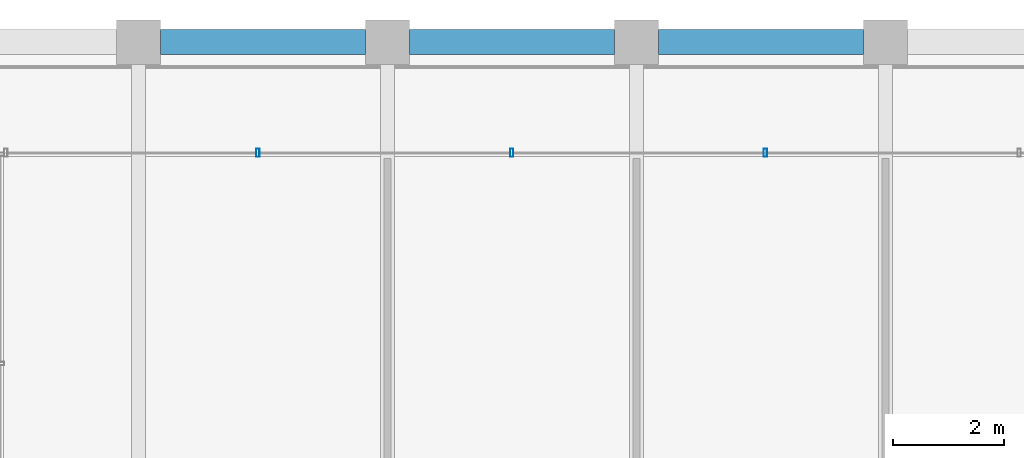
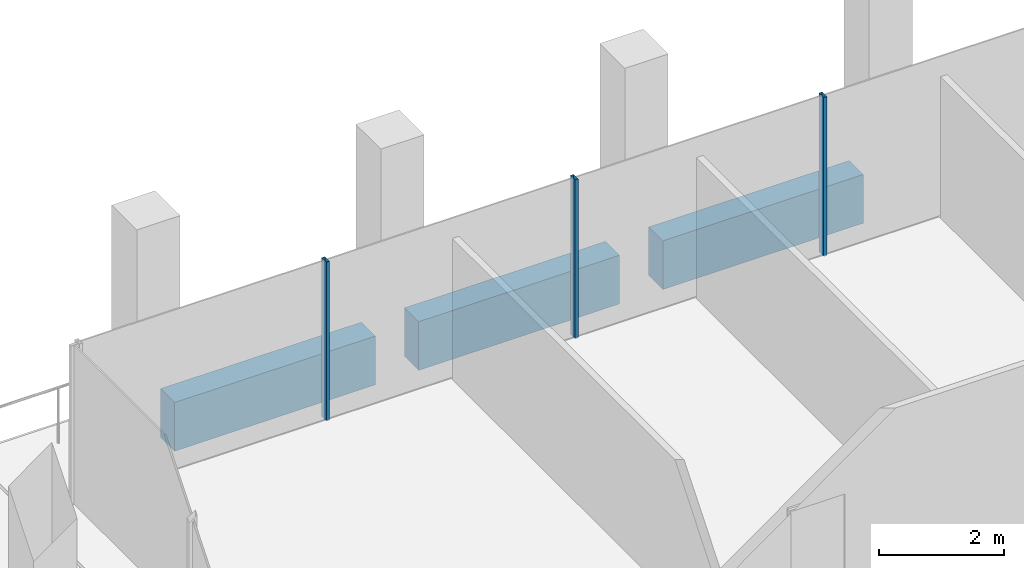
# One storey, part 23 of 41: 3 beams, 3 members, 1 element without a shape of its own.
"""IFC4 building model written with IfcOpenShell, lengths in metres."""

import ifcopenshell
import ifcopenshell.guid

model = None  # the IFC model being written
_history = None  # IfcOwnerHistory: only IFC2X3 demands one
_inside = {}  # id of a spatial element -> (the spatial element, [elements in it])
_under = {}  # id of a project, library or spatial element -> (it, [spatial elements below it])
_declared = {}  # id of a project -> (the project, [libraries it declares])
_typed = {}  # id of a type object -> (the type object, [elements of that type])
_made_of = {}  # id of a material, layer set ... -> (it, [elements and type objects made of it])


def new_model(schema):
    """Start an empty IFC model of exactly this schema.

    Asked for "IFC4X3", IfcOpenShell would pick the latest addendum, in which some entities
    have other attributes; the version numbers below select the first issue.
    IFC2X3 requires an IfcOwnerHistory on every rooted entity: one is made here for all.
    """
    global model, _history
    if schema == "IFC4X3":
        model = ifcopenshell.file(schema_version=(4, 3, 0, 0))
    else:
        model = ifcopenshell.file(schema=schema)
    _inside.clear()
    _under.clear()
    _declared.clear()
    _typed.clear()
    _made_of.clear()
    _history = None
    if model.schema == "IFC2X3":
        org = make("IfcOrganization", Name="unknown")
        user = make(
            "IfcPersonAndOrganization",
            ThePerson=make("IfcPerson", FamilyName="unknown"),
            TheOrganization=org,
        )
        app = make(
            "IfcApplication",
            ApplicationDeveloper=org,
            Version="unknown",
            ApplicationFullName="unknown",
            ApplicationIdentifier="unknown",
        )
        _history = make(
            "IfcOwnerHistory",
            OwningUser=user,
            OwningApplication=app,
            ChangeAction="ADDED",
            CreationDate=0,
        )
    return model


def make(cls, **values):
    """One entity of the class cls with the attributes given. An attribute that is None is left unset."""
    return model.create_entity(
        cls, **{name: value for name, value in values.items() if value is not None}
    )


def rooted(cls, **values):
    """An entity with a GlobalId (a new one), such as an element, a storey or a relation."""
    return make(cls, GlobalId=ifcopenshell.guid.new(), OwnerHistory=_history, **values)


def si_unit(unit_type, name, prefix=None):
    """IfcSIUnit, for example si_unit("LENGTHUNIT", "METRE", prefix="MILLI")."""
    return make("IfcSIUnit", UnitType=unit_type, Prefix=prefix, Name=name)


def assignment(units):
    """IfcUnitAssignment: the units of a project."""
    return None if units is None else make("IfcUnitAssignment", Units=units)


def point(xyz):
    """IfcCartesianPoint."""
    return None if xyz is None else make("IfcCartesianPoint", Coordinates=xyz)


def direction(xyz):
    """IfcDirection."""
    return None if xyz is None else make("IfcDirection", DirectionRatios=xyz)


def frame(location, z_axis=None, x_axis=None):
    """IfcAxis2Placement3D, a coordinate frame: its origin and axes. An axis left out is left unset."""
    return make(
        "IfcAxis2Placement3D",
        Location=point(location),
        Axis=direction(z_axis),
        RefDirection=direction(x_axis),
    )


def frame_2d(location, x_axis=None):
    """IfcAxis2Placement2D, a coordinate frame in the plane: its origin and x axis."""
    return make(
        "IfcAxis2Placement2D", Location=point(location), RefDirection=direction(x_axis)
    )


def origin():
    """The frame at (0, 0, 0) with its axes left unset."""
    return frame((0.0, 0.0, 0.0))


def origin_2d():
    """The frame at (0, 0) in the plane with its x axis left unset."""
    return frame_2d((0.0, 0.0))


def place(relative_to, where):
    """IfcLocalPlacement: puts the frame where relative to a parent placement (None: the world)."""
    return make(
        "IfcLocalPlacement", PlacementRelTo=relative_to, RelativePlacement=where
    )


def context(
    kind, dimensions, precision=None, world=None, true_north=None, identifier=None
):
    """IfcGeometricRepresentationContext, for example the 3D "Model" context."""
    return make(
        "IfcGeometricRepresentationContext",
        ContextIdentifier=identifier,
        ContextType=kind,
        CoordinateSpaceDimension=dimensions,
        Precision=precision,
        WorldCoordinateSystem=world,
        TrueNorth=true_north,
    )


def subcontext(parent, identifier, kind, view, scale=None):
    """IfcGeometricRepresentationSubContext, for example "Body" below "Model"."""
    return make(
        "IfcGeometricRepresentationSubContext",
        ContextIdentifier=identifier,
        ContextType=kind,
        ParentContext=parent,
        TargetScale=scale,
        TargetView=view,
    )


def project(units=None, contexts=None):
    """IfcProject with its units and contexts."""
    return rooted(
        "IfcProject",
        Name="project",
        RepresentationContexts=contexts,
        UnitsInContext=assignment(units),
    )


def spatial(cls, under=None, at=None, **own):
    """A site, building, storey or space (cls), placed at a placement, below another one or the project."""
    s = rooted(cls, ObjectPlacement=at, **own)
    if under is not None:
        _under.setdefault(under.id(), (under, []))[1].append(s)
    return s


def profile(cls, at=None, kind="AREA", **sizes):
    """A parametric profile (cls). Its sizes go by their IFC names, for example OverallWidth=200.0."""
    return make(cls, ProfileType=kind, Position=at, **sizes)


def rectangle(**sizes):
    """IfcRectangleProfileDef."""
    return profile("IfcRectangleProfileDef", **sizes)


def hollow_rectangle(**sizes):
    """IfcRectangleHollowProfileDef."""
    return profile("IfcRectangleHollowProfileDef", **sizes)


def extrude(swept, where, along, depth):
    """IfcExtrudedAreaSolid: the profile swept, set in the frame where, extruded along a direction by depth."""
    return make(
        "IfcExtrudedAreaSolid",
        SweptArea=swept,
        Position=where,
        ExtrudedDirection=direction(along),
        Depth=depth,
    )


def shape(context_of_items, identifier, shape_type, items):
    """IfcShapeRepresentation: the items that make up one representation, for example the "Body"."""
    return make(
        "IfcShapeRepresentation",
        ContextOfItems=context_of_items,
        RepresentationIdentifier=identifier,
        RepresentationType=shape_type,
        Items=items,
    )


def material(Name=None, Category=None):
    """IfcMaterial."""
    return make("IfcMaterial", Name=Name, Category=Category)


def material_profile(
    of_material, cross_section, Name=None, Category=None, Priority=None
):
    """IfcMaterialProfile: a cross section and its material."""
    return make(
        "IfcMaterialProfile",
        Name=Name,
        Material=of_material,
        Profile=cross_section,
        Priority=Priority,
        Category=Category,
    )


def profile_set(profiles, Name=None, composite=None):
    """IfcMaterialProfileSet."""
    return make(
        "IfcMaterialProfileSet",
        Name=Name,
        MaterialProfiles=profiles,
        CompositeProfile=composite,
    )


def made_of(thing, what):
    """Note that an element or type object is made of a material, layer set ...; save() writes the relation."""
    if what is not None:
        _made_of.setdefault(what.id(), (what, []))[1].append(thing)
    return thing


def type_object(cls, material=None, **own):
    """A type object (cls), such as IfcWallType, which elements share."""
    return made_of(rooted(cls, **own), material)


def element(
    cls,
    number,
    at=None,
    inside=None,
    cuts=None,
    type_object=None,
    material=None,
    context=None,
    identifier="Body",
    shape_type=None,
    held_by="IfcProductDefinitionShape",
    body=None,
    shapes=None,
    **own,
):
    """One element of the class cls, such as IfcWall. Its Tag is "e" and its number.

    at: its placement. inside: the storey or other place that contains it. cuts: it is an
    opening in that element (IfcRelVoidsElement). A single representation is given by context,
    identifier, shape_type and body (its items); several are given by shapes. held_by: the class
    of the entity that holds the representations. save() writes the other relations.
    """
    e = rooted(cls, Tag="e%d" % number, ObjectPlacement=at, **own)
    if body is not None:
        shapes = [shape(context, identifier, shape_type, body)]
    if shapes is not None:
        e.Representation = make(held_by, Representations=shapes)
    if inside is not None:
        _inside.setdefault(inside.id(), (inside, []))[1].append(e)
    if cuts is not None:
        rooted(
            "IfcRelVoidsElement", RelatingBuildingElement=cuts, RelatedOpeningElement=e
        )
    if type_object is not None:
        _typed.setdefault(type_object.id(), (type_object, []))[1].append(e)
    return made_of(e, material)


def aggregate(whole, parts):
    """IfcRelAggregates: a whole, such as a stair, and the parts it consists of."""
    return rooted("IfcRelAggregates", RelatingObject=whole, RelatedObjects=parts)


def save(model, path):
    """Write the relations noted so far, then the file.

    IfcRelAggregates (storeys below a building ...), IfcRelContainedInSpatialStructure (elements
    in a storey), IfcRelDefinesByType, IfcRelAssociatesMaterial and IfcRelDeclares: one each for
    every whole, place, type object, material and project.
    """
    for whole, parts in _under.values():
        aggregate(whole, parts)
    for where, things in _inside.values():
        rooted(
            "IfcRelContainedInSpatialStructure",
            RelatedElements=things,
            RelatingStructure=where,
        )
    for kind, things in _typed.values():
        rooted("IfcRelDefinesByType", RelatedObjects=things, RelatingType=kind)
    for what, things in _made_of.values():
        rooted("IfcRelAssociatesMaterial", RelatedObjects=things, RelatingMaterial=what)
    for by, libraries in _declared.values():
        rooted("IfcRelDeclares", RelatingContext=by, RelatedDefinitions=libraries)
    model.write(path)


model = new_model("IFC4")

# Units and contexts
model_context = context("Model", 3, precision=1e-05, world=origin(), true_north=direction((0.0, 1.0)))
body_context = subcontext(model_context, "Body", "Model", "MODEL_VIEW")
ifc_project = project(units=[si_unit("LENGTHUNIT", "METRE"), si_unit("AREAUNIT", "SQUARE_METRE"), si_unit("VOLUMEUNIT", "CUBIC_METRE"), si_unit("PLANEANGLEUNIT", "RADIAN"), si_unit("MASSUNIT", "GRAM", prefix="KILO")], contexts=[model_context])

# Site, building, storey
site_placement = place(None, origin())
site = spatial("IfcSite", under=ifc_project, at=site_placement, CompositionType="ELEMENT")
building_placement = place(site_placement, origin())
building = spatial("IfcBuilding", under=site, at=building_placement, Name="Altepetl Exchange Towers", CompositionType="ELEMENT")
storey_placement = place(building_placement, frame((0.0, 0.0, 206.39990234375)))
storey = spatial("IfcBuildingStorey", under=building, at=storey_placement, Name="L52", CompositionType="ELEMENT", Elevation=206.39990234375)

# Curtain wall, members
ifc_material_1 = material(Name="Aluminium 6063-T6 glazing", Category="aluminium")
curtain_wall_type = type_object("IfcCurtainWallType", Name="Loggia glazing system", PredefinedType="NOTDEFINED", material=ifc_material_1)
curtain_wall_placement = place(storey_placement, origin())
curtain_wall = element("IfcCurtainWall", 1, at=curtain_wall_placement, inside=storey, type_object=curtain_wall_type, Name="CW1 run", PredefinedType="NOTDEFINED")
ifc_material_2 = material(Name="Aluminium 6063-T6", Category="aluminium")
ifc_material_profile_1 = material_profile(ifc_material_2, hollow_rectangle(XDim=0.06005859375, YDim=0.14990234375, WallThickness=0.0029296875, at=origin_2d()), Name="Mullion 60x150 aluminium")
ifc_profile_set_1 = profile_set([ifc_material_profile_1], Name="Aluminium 6063-T6")
member_type = type_object("IfcMemberType", Name="Mullion 60x150 aluminium", PredefinedType="MULLION", material=ifc_profile_set_1)
member_1_placement = place(storey_placement, frame((56.330078125, 70.0, 0.0), z_axis=(0.0, 0.0, 1.0), x_axis=(-1.0, 0.0, 0.0)))
member_1 = element("IfcMember", 2, at=member_1_placement, type_object=member_type, Name="MU1 mullion", PredefinedType="MULLION", context=body_context, shape_type="SweptSolid", body=[
    extrude(hollow_rectangle(XDim=0.06005859375, YDim=0.14990234375, WallThickness=0.0029296875, at=origin_2d()), origin(), (0.0, 0.0, 1.0), 3.10009765625),
])
member_2_placement = place(storey_placement, frame((51.7451171875, 70.0, 0.0), z_axis=(0.0, 0.0, 1.0), x_axis=(-1.0, 0.0, 0.0)))
member_2 = element("IfcMember", 3, at=member_2_placement, type_object=member_type, Name="MU1 mullion", PredefinedType="MULLION", context=body_context, shape_type="SweptSolid", body=[
    extrude(hollow_rectangle(XDim=0.06005859375, YDim=0.14990234375, WallThickness=0.0029296875, at=origin_2d()), origin(), (0.0, 0.0, 1.0), 3.10009765625),
])
member_3_placement = place(storey_placement, frame((47.159912109375, 70.0, 0.0), z_axis=(0.0, 0.0, 1.0), x_axis=(-1.0, 0.0, 0.0)))
member_3 = element("IfcMember", 4, at=member_3_placement, type_object=member_type, Name="MU1 mullion", PredefinedType="MULLION", context=body_context, shape_type="SweptSolid", body=[
    extrude(hollow_rectangle(XDim=0.06005859375, YDim=0.14990234375, WallThickness=0.0029296875, at=origin_2d()), origin(), (0.0, 0.0, 1.0), 3.10009765625),
])
aggregate(curtain_wall, [member_1, member_2, member_3])

# Beams
ifc_material_3 = material(Name="Concrete C50/60 precast with cantera rosa facing", Category="concrete")
ifc_material_profile_2 = material_profile(ifc_material_3, rectangle(XDim=0.449951171875, YDim=0.949951171875, at=origin_2d()), Name="450 x 950")
ifc_profile_set_2 = profile_set([ifc_material_profile_2], Name="Concrete C50/60 precast with cantera rosa facing")
beam_type = type_object("IfcBeamType", Name="Spandrel beam 450x950 cantera rosa", PredefinedType="SPANDREL", material=ifc_profile_set_2)
for number, where, z_axis, x_axis, name in (
    (5, (58.10009765625, 72.0, -0.625), (-1.0, 0.0, 0.0), (0.0, -1.0, 0.0), "sp:A:L52:026"),
    (6, (53.60009765625, 72.0, -0.625), (-1.0, 0.0, 0.0), (0.0, -1.0, 0.0), "sp:A:L52:027"),
    (7, (49.10009765625, 72.0, -0.625), (-1.0, 0.0, 0.0), (0.0, -1.0, 0.0), "sp:A:L52:028"),
):
    element("IfcBeam", number, at=place(storey_placement, frame(where, z_axis=z_axis, x_axis=x_axis)), inside=storey, type_object=beam_type, Name=name, PredefinedType="SPANDREL", context=body_context, shape_type="SweptSolid", body=[
        extrude(rectangle(XDim=0.449951171875, YDim=0.949951171875, at=origin_2d()), origin(), (0.0, 0.0, 1.0), 3.7001953125),
    ])

save(model, "model.ifc")
